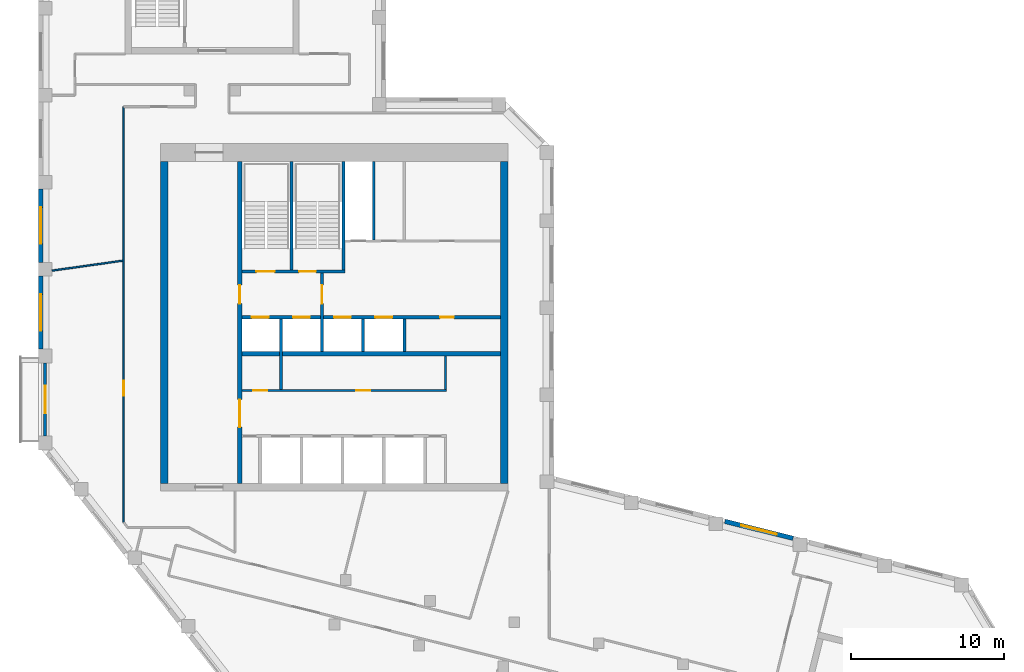
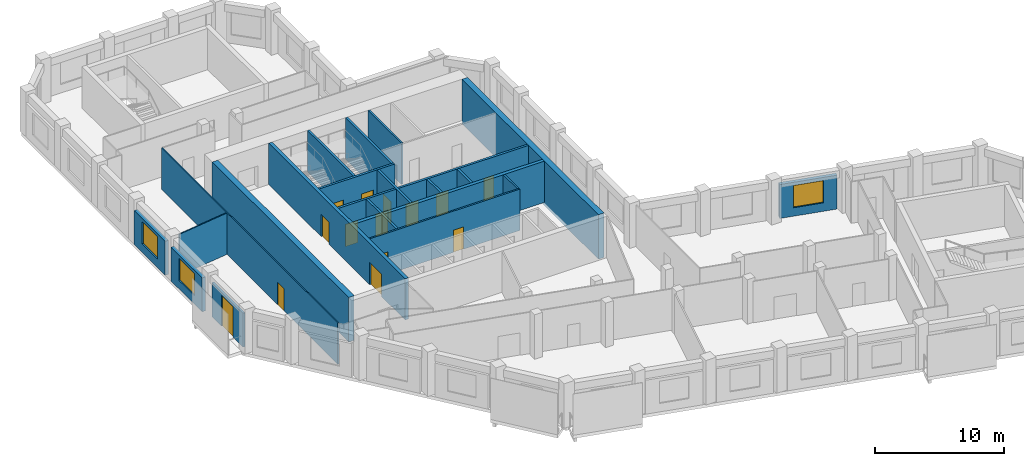
# One storey, part 5 of 8: 21 walls, 14 doors, 3 windows, 17 openings.
"""IFC4 building model written with IfcOpenShell, lengths in metres."""

from ifc_helpers import new_model, si_unit, direction, frame, frame_2d, origin, place, context, subcontext, project, spatial, rectangle, extrude, material, layer, layer_set, type_object, element, fill, save


model = new_model("IFC4")

# Units and contexts
model_context = context("Model", 3, precision=1e-05, world=origin(), true_north=direction((0.0, 1.0)))
body_context = subcontext(model_context, "Body", "Model", "MODEL_VIEW")
ifc_project = project(units=[si_unit("LENGTHUNIT", "METRE"), si_unit("AREAUNIT", "SQUARE_METRE"), si_unit("VOLUMEUNIT", "CUBIC_METRE"), si_unit("PLANEANGLEUNIT", "RADIAN"), si_unit("MASSUNIT", "GRAM", prefix="KILO")], contexts=[model_context])

# Site, building, storey
site_placement = place(None, origin())
site = spatial("IfcSite", under=ifc_project, at=site_placement, CompositionType="ELEMENT")
building_placement = place(site_placement, origin())
building = spatial("IfcBuilding", under=site, at=building_placement, Name="Meshkara Civic Tower", CompositionType="ELEMENT")
storey_placement = place(building_placement, frame((0.0, 0.0, 358.199951171875)))
storey = spatial("IfcBuildingStorey", under=building, at=storey_placement, Name="L82", CompositionType="ELEMENT", Elevation=358.199951171875)

# Wall, openings, doors
ifc_material_1 = material(Name="Blockwork", Category="masonry")
ifc_layer_1 = layer(ifc_material_1, 0.14990234375)
ifc_layer_set_1 = layer_set([ifc_layer_1], Name="Core partition 150")
wall_type_1 = type_object("IfcWallType", Name="Core partition 150", PredefinedType="PARTITIONING", material=ifc_layer_set_1)
wall_1_placement = place(storey_placement, frame((13.35009765625, 20.699951171875, 0.0), z_axis=(0.0, 0.0, 1.0), x_axis=(1.0, 0.0, 0.0)))
wall_1 = element("IfcWall", 1, at=wall_1_placement, inside=storey, type_object=wall_type_1, Name="L82-C006", PredefinedType="PARTITIONING", context=body_context, shape_type="SweptSolid", body=[
    extrude(rectangle(XDim=13.4248046875, YDim=0.14990234375, at=frame_2d((6.71240234375, 0.0))), origin(), (0.0, 0.0, 1.0), 3.900146484375),
])
opening_1_placement = place(wall_1_placement, frame((0.75, 0.0, 0.0)))
opening_1 = element("IfcOpeningElement", 2, at=opening_1_placement, cuts=wall_1, Name="Opening L82-K011", PredefinedType="OPENING", context=body_context, shape_type="SweptSolid", body=[
    extrude(rectangle(XDim=0.89990234375, YDim=2.10009765625, at=frame_2d((0.449951171875, 1.050048828125))), frame((0.0, 0.0849609375, 0.0), z_axis=(0.0, -1.0, 0.0), x_axis=(1.0, 0.0, 0.0)), (0.0, 0.0, 1.0), 0.169921875),
])
opening_2_placement = place(wall_1_placement, frame((7.5, 0.0, 0.0)))
opening_2 = element("IfcOpeningElement", 3, at=opening_2_placement, cuts=wall_1, Name="Opening L82-K012", PredefinedType="OPENING", context=body_context, shape_type="SweptSolid", body=[
    extrude(rectangle(XDim=0.89990234375, YDim=2.10009765625, at=frame_2d((0.449951171875, 1.050048828125))), frame((0.0, 0.0849609375, 0.0), z_axis=(0.0, -1.0, 0.0), x_axis=(1.0, 0.0, 0.0)), (0.0, 0.0, 1.0), 0.169921875),
])
ifc_material_2 = material(Name="Timber door leaf in steel frame", Category="steel")
door_type_1 = type_object("IfcDoorType", Name="Core room door 900", OperationType="SINGLE_SWING_LEFT", PredefinedType="DOOR", material=ifc_material_2)
door_1_placement = place(opening_1_placement, origin())
door_1 = element("IfcDoor", 4, at=door_1_placement, inside=storey, type_object=door_type_1, Name="L82-K011", OperationType="SINGLE_SWING_RIGHT", OverallHeight=2.10009765625, OverallWidth=0.89990234375, PredefinedType="DOOR", context=body_context, shape_type="SweptSolid", body=[
    extrude(rectangle(XDim=0.89990234375, YDim=2.10009765625, at=frame_2d((0.449951171875, 1.050048828125))), frame((0.0, 0.02490234375, 0.0), z_axis=(0.0, -1.0, 0.0), x_axis=(1.0, 0.0, 0.0)), (0.0, 0.0, 1.0), 0.050048828125),
])
fill(opening_1, door_1)
door_2_placement = place(opening_2_placement, origin())
door_2 = element("IfcDoor", 5, at=door_2_placement, inside=storey, type_object=door_type_1, Name="L82-K012", OperationType="SINGLE_SWING_LEFT", OverallHeight=2.10009765625, OverallWidth=0.89990234375, PredefinedType="DOOR", context=body_context, shape_type="SweptSolid", body=[
    extrude(rectangle(XDim=0.89990234375, YDim=2.10009765625, at=frame_2d((0.449951171875, 1.050048828125))), frame((0.0, 0.02490234375, 0.0), z_axis=(0.0, -1.0, 0.0), x_axis=(1.0, 0.0, 0.0)), (0.0, 0.0, 1.0), 0.050048828125),
])
fill(opening_2, door_2)

# Walls
wall_2_placement = place(storey_placement, frame((22.0, 30.574951171875, 0.0), z_axis=(0.0, 0.0, 1.0), x_axis=(0.0, 1.0, 0.0)))
element("IfcWall", 6, at=wall_2_placement, inside=storey, type_object=wall_type_1, Name="L82-C020", PredefinedType="PARTITIONING", context=body_context, shape_type="SweptSolid", body=[
    extrude(rectangle(XDim=5.125, YDim=0.14990234375, at=frame_2d((2.5625, 0.0))), origin(), (0.0, 0.0, 1.0), 3.900146484375),
])
wall_3_placement = place(storey_placement, frame((26.699951171875, 20.77490234375, 0.0), z_axis=(0.0, 0.0, 1.0), x_axis=(0.0, 1.0, 0.0)))
element("IfcWall", 7, at=wall_3_placement, inside=storey, type_object=wall_type_1, Name="L82-C026", PredefinedType="PARTITIONING", context=body_context, shape_type="SweptSolid", body=[
    extrude(rectangle(XDim=2.175048828125, YDim=0.14990234375, at=frame_2d((1.08740234375, 0.0))), origin(), (0.0, 0.0, 1.0), 3.900146484375),
])
ifc_material_3 = material(Name="Concrete C50", Category="concrete")
ifc_layer_2 = layer(ifc_material_3, 0.5)
ifc_layer_set_2 = layer_set([ifc_layer_2], Name="Core ring wall 500 C50")
wall_type_2 = type_object("IfcWallType", Name="Core ring wall 500 C50", PredefinedType="SHEAR", material=ifc_layer_set_2)
for number, where, z_axis, x_axis, name in (
    (8, (8.25, 14.60009765625, -0.300048828125), (0.0, 0.0, 1.0), (0.0, 1.0, 0.0), "L82-C003"),
    (9, (30.550048828125, 14.60009765625, -0.300048828125), (0.0, 0.0, 1.0), (0.0, 1.0, 0.0), "L82-C004"),
):
    element("IfcWall", number, at=place(storey_placement, frame(where, z_axis=z_axis, x_axis=x_axis)), inside=storey, type_object=wall_type_2, Name=name, PredefinedType="SHEAR", context=body_context, shape_type="SweptSolid", body=[
        extrude(rectangle(XDim=21.099853515625, YDim=0.5, at=frame_2d((10.5498046875, 0.0))), origin(), (0.0, 0.0, 1.0), 4.2001953125),
    ])
ifc_material_4 = material(Name="Concrete C50", Category="concrete")
ifc_layer_3 = layer(ifc_material_4, 0.300048828125)
ifc_layer_set_3 = layer_set([ifc_layer_3], Name="Core shear wall 300 C50")
wall_type_3 = type_object("IfcWallType", Name="Core shear wall 300 C50", PredefinedType="SHEAR", material=ifc_layer_set_3)
wall_4_placement = place(storey_placement, frame((13.35009765625, 23.10009765625, 0.0), z_axis=(0.0, 0.0, 1.0), x_axis=(1.0, 0.0, 0.0)))
element("IfcWall", 10, at=wall_4_placement, inside=storey, type_object=wall_type_3, Name="L82-C007", PredefinedType="SHEAR", context=body_context, shape_type="SweptSolid", body=[
    extrude(rectangle(XDim=16.949951171875, YDim=0.300048828125, at=frame_2d((8.47509765625, 0.0))), origin(), (0.0, 0.0, 1.0), 3.900146484375),
])

# Wall, openings, doors
wall_5_placement = place(storey_placement, frame((13.199951171875, 14.60009765625, 0.0), z_axis=(0.0, 0.0, 1.0), x_axis=(0.0, 1.0, 0.0)))
wall_5 = element("IfcWall", 11, at=wall_5_placement, inside=storey, type_object=wall_type_3, Name="L82-C011", PredefinedType="SHEAR", context=body_context, shape_type="SweptSolid", body=[
    extrude(rectangle(XDim=21.099853515625, YDim=0.300048828125, at=frame_2d((10.5498046875, 0.0))), origin(), (0.0, 0.0, 1.0), 3.900146484375),
])
opening_3_placement = place(wall_5_placement, frame((3.699951171875, 0.0, 0.0)))
opening_3 = element("IfcOpeningElement", 12, at=opening_3_placement, cuts=wall_5, Name="Opening L82-K019", PredefinedType="OPENING", context=body_context, shape_type="SweptSolid", body=[
    extrude(rectangle(XDim=1.800048828125, YDim=2.10009765625, at=frame_2d((0.89990234375, 1.050048828125))), frame((0.0, 0.159912109375, 0.0), z_axis=(0.0, -1.0, 0.0), x_axis=(1.0, 0.0, 0.0)), (0.0, 0.0, 1.0), 0.320068359375),
])
opening_4_placement = place(wall_5_placement, frame((11.800048828125, 0.0, 0.0)))
opening_4 = element("IfcOpeningElement", 13, at=opening_4_placement, cuts=wall_5, Name="Opening L82-K020", PredefinedType="OPENING", context=body_context, shape_type="SweptSolid", body=[
    extrude(rectangle(XDim=1.199951171875, YDim=2.10009765625, at=frame_2d((0.60009765625, 1.050048828125))), frame((0.0, 0.159912109375, 0.0), z_axis=(0.0, -1.0, 0.0), x_axis=(1.0, 0.0, 0.0)), (0.0, 0.0, 1.0), 0.320068359375),
])
ifc_material_5 = material(Name="Fire-rated door leaf in steel frame", Category="steel")
door_type_2 = type_object("IfcDoorType", Name="Core double door 1800 EI 60", OperationType="DOUBLE_DOOR_SINGLE_SWING", PredefinedType="DOOR", material=ifc_material_5)
door_3_placement = place(opening_3_placement, origin())
door_3 = element("IfcDoor", 14, at=door_3_placement, inside=storey, type_object=door_type_2, Name="L82-K019", OperationType="DOUBLE_DOOR_SINGLE_SWING", OverallHeight=2.10009765625, OverallWidth=1.800048828125, PredefinedType="DOOR", context=body_context, shape_type="SweptSolid", body=[
    extrude(rectangle(XDim=1.800048828125, YDim=2.10009765625, at=frame_2d((0.89990234375, 1.050048828125))), frame((0.0, 0.02490234375, 0.0), z_axis=(0.0, -1.0, 0.0), x_axis=(1.0, 0.0, 0.0)), (0.0, 0.0, 1.0), 0.050048828125),
])
fill(opening_3, door_3)
ifc_material_6 = material(Name="Fire-rated door leaf in steel frame", Category="steel")
door_type_3 = type_object("IfcDoorType", Name="Fire-fighting lobby door 1200 EI 120", OperationType="SINGLE_SWING_LEFT", PredefinedType="DOOR", material=ifc_material_6)
door_4_placement = place(opening_4_placement, origin())
door_4 = element("IfcDoor", 15, at=door_4_placement, inside=storey, type_object=door_type_3, Name="L82-K020", OperationType="SINGLE_SWING_LEFT", OverallHeight=2.10009765625, OverallWidth=1.199951171875, PredefinedType="DOOR", context=body_context, shape_type="SweptSolid", body=[
    extrude(rectangle(XDim=1.199951171875, YDim=2.10009765625, at=frame_2d((0.60009765625, 1.050048828125))), frame((0.0, 0.02490234375, 0.0), z_axis=(0.0, -1.0, 0.0), x_axis=(1.0, 0.0, 0.0)), (0.0, 0.0, 1.0), 0.050048828125),
])
fill(opening_4, door_4)

# Wall, opening, door
ifc_material_7 = material(Name="Corridor wall 100")
ifc_layer_4 = layer(ifc_material_7, 0.10009765625)
ifc_layer_set_4 = layer_set([ifc_layer_4], Name="Corridor wall 100")
wall_type_4 = type_object("IfcWallType", Name="Corridor wall 100", PredefinedType="PARTITIONING", material=ifc_layer_set_4)
wall_6_placement = place(storey_placement, frame((5.60009765625, 39.300048828125, 0.0), z_axis=(0.0, 0.0, 1.0), x_axis=(0.0, -1.0, 0.0)))
wall_6 = element("IfcWall", 16, at=wall_6_placement, inside=storey, type_object=wall_type_4, Name="L82-W004", PredefinedType="PARTITIONING", context=body_context, shape_type="SweptSolid", body=[
    extrude(rectangle(XDim=27.256103515625, YDim=0.10009765625, at=frame_2d((13.6279296875, 0.0))), origin(), (0.0, 0.0, 1.0), 3.900146484375),
])
opening_5_placement = place(wall_6_placement, frame((17.962890625, 0.0, 0.0)))
opening_5 = element("IfcOpeningElement", 17, at=opening_5_placement, cuts=wall_6, Name="Opening L82-D011", PredefinedType="OPENING", context=body_context, shape_type="SweptSolid", body=[
    extrude(rectangle(XDim=1.0, YDim=2.10009765625, at=frame_2d((0.5, 1.050048828125))), frame((0.0, 0.06005859375, 0.0), z_axis=(0.0, -1.0, 0.0), x_axis=(1.0, 0.0, 0.0)), (0.0, 0.0, 1.0), 0.1201171875),
])
ifc_material_8 = material(Name="Door 1000 x 2100")
door_type_4 = type_object("IfcDoorType", Name="Door 1000 x 2100", OperationType="SINGLE_SWING_LEFT", PredefinedType="DOOR", material=ifc_material_8)
door_5_placement = place(opening_5_placement, origin())
door_5 = element("IfcDoor", 18, at=door_5_placement, inside=storey, type_object=door_type_4, Name="L82-D011", OperationType="SINGLE_SWING_RIGHT", OverallHeight=2.10009765625, OverallWidth=1.0, PredefinedType="DOOR", context=body_context, shape_type="SweptSolid", body=[
    extrude(rectangle(XDim=1.0, YDim=2.10009765625, at=frame_2d((0.5, 1.050048828125))), frame((0.0, 0.02490234375, 0.0), z_axis=(0.0, -1.0, 0.0), x_axis=(1.0, 0.0, 0.0)), (0.0, 0.0, 1.0), 0.050048828125),
])
fill(opening_5, door_5)

# Wall, opening, window
ifc_material_9 = material(Name="Insulated infill panel with bronze anodised aluminium cladding", Category="aluminium")
ifc_layer_5 = layer(ifc_material_9, 0.300048828125)
ifc_layer_set_5 = layer_set([ifc_layer_5], Name="EXTERNAL INFILL WALL 300")
wall_type_5 = type_object("IfcWallType", Name="EXTERNAL INFILL WALL 300", PredefinedType="SOLIDWALL", material=ifc_layer_set_5)
wall_7_placement = place(storey_placement, frame((49.485107421875, 11.0048828125, 0.0), z_axis=(0.0, 0.0, 1.0), x_axis=(-0.970235897967, 0.242161727563, 0.0)))
wall_7 = element("IfcWall", 19, at=wall_7_placement, inside=storey, type_object=wall_type_5, Name="External wall", PredefinedType="SOLIDWALL", context=body_context, shape_type="SweptSolid", body=[
    extrude(rectangle(XDim=4.609375, YDim=0.300048828125, at=frame_2d((2.3046875, 0.0))), origin(), (0.0, 0.0, 1.0), 3.199951171875),
])
opening_6_placement = place(wall_7_placement, frame((1.10498046875, 0.0, 0.800048828125)))
opening_6 = element("IfcOpeningElement", 20, at=opening_6_placement, cuts=wall_7, Name="Opening W7", PredefinedType="OPENING", context=body_context, shape_type="SweptSolid", body=[
    extrude(rectangle(XDim=2.39990234375, YDim=2.10009765625, at=frame_2d((1.199951171875, 1.050048828125))), frame((0.0, 0.159912109375, 0.0), z_axis=(0.0, -1.0, 0.0), x_axis=(1.0, 0.0, 0.0)), (0.0, 0.0, 1.0), 0.320068359375),
])
ifc_material_10 = material(Name="Tinted double glazing", Category="glass")
window_type = type_object("IfcWindowType", Name="WINDOW 2400x2100", PartitioningType="DOUBLE_PANEL_VERTICAL", PredefinedType="WINDOW", material=ifc_material_10)
window_1_placement = place(opening_6_placement, origin())
window_1 = element("IfcWindow", 21, at=window_1_placement, inside=storey, type_object=window_type, Name="Window", OverallHeight=2.10009765625, OverallWidth=2.39990234375, PartitioningType="DOUBLE_PANEL_VERTICAL", PredefinedType="WINDOW", context=body_context, shape_type="SweptSolid", body=[
    extrude(rectangle(XDim=2.39990234375, YDim=2.10009765625, at=frame_2d((1.199951171875, 1.050048828125))), frame((0.0, 0.030029296875, 0.0), z_axis=(0.0, -1.0, 0.0), x_axis=(1.0, 0.0, 0.0)), (0.0, 0.0, 1.0), 0.06005859375),
])
fill(opening_6, window_1)

wall_8_placement = place(storey_placement, frame((0.14990234375, 33.905029296875, 0.0), z_axis=(0.0, 0.0, 1.0), x_axis=(0.0, -1.0, 0.0)))
wall_8 = element("IfcWall", 22, at=wall_8_placement, inside=storey, type_object=wall_type_5, Name="External wall", PredefinedType="SOLIDWALL", context=body_context, shape_type="SweptSolid", body=[
    extrude(rectangle(XDim=4.800048828125, YDim=0.300048828125, at=frame_2d((2.39990234375, 0.0))), origin(), (0.0, 0.0, 1.0), 3.199951171875),
])
opening_7_placement = place(wall_8_placement, frame((1.199951171875, 0.0, 0.800048828125)))
opening_7 = element("IfcOpeningElement", 23, at=opening_7_placement, cuts=wall_8, Name="Opening W7", PredefinedType="OPENING", context=body_context, shape_type="SweptSolid", body=[
    extrude(rectangle(XDim=2.39990234375, YDim=2.10009765625, at=frame_2d((1.199951171875, 1.050048828125))), frame((0.0, 0.159912109375, 0.0), z_axis=(0.0, -1.0, 0.0), x_axis=(1.0, 0.0, 0.0)), (0.0, 0.0, 1.0), 0.320068359375),
])
window_2_placement = place(opening_7_placement, origin())
window_2 = element("IfcWindow", 24, at=window_2_placement, inside=storey, type_object=window_type, Name="Window", OverallHeight=2.10009765625, OverallWidth=2.39990234375, PartitioningType="DOUBLE_PANEL_VERTICAL", PredefinedType="WINDOW", context=body_context, shape_type="SweptSolid", body=[
    extrude(rectangle(XDim=2.39990234375, YDim=2.10009765625, at=frame_2d((1.199951171875, 1.050048828125))), frame((0.0, 0.030029296875, 0.0), z_axis=(0.0, -1.0, 0.0), x_axis=(1.0, 0.0, 0.0)), (0.0, 0.0, 1.0), 0.06005859375),
])
fill(opening_7, window_2)

wall_9_placement = place(storey_placement, frame((0.14990234375, 28.205078125, 0.0), z_axis=(0.0, 0.0, 1.0), x_axis=(0.0, -1.0, 0.0)))
wall_9 = element("IfcWall", 25, at=wall_9_placement, inside=storey, type_object=wall_type_5, Name="External wall", PredefinedType="SOLIDWALL", context=body_context, shape_type="SweptSolid", body=[
    extrude(rectangle(XDim=4.800048828125, YDim=0.300048828125, at=frame_2d((2.39990234375, 0.0))), origin(), (0.0, 0.0, 1.0), 3.199951171875),
])
opening_8_placement = place(wall_9_placement, frame((1.199951171875, 0.0, 0.800048828125)))
opening_8 = element("IfcOpeningElement", 26, at=opening_8_placement, cuts=wall_9, Name="Opening W7", PredefinedType="OPENING", context=body_context, shape_type="SweptSolid", body=[
    extrude(rectangle(XDim=2.39990234375, YDim=2.10009765625, at=frame_2d((1.199951171875, 1.050048828125))), frame((0.0, 0.159912109375, 0.0), z_axis=(0.0, -1.0, 0.0), x_axis=(1.0, 0.0, 0.0)), (0.0, 0.0, 1.0), 0.320068359375),
])
window_3_placement = place(opening_8_placement, origin())
window_3 = element("IfcWindow", 27, at=window_3_placement, inside=storey, type_object=window_type, Name="Window", OverallHeight=2.10009765625, OverallWidth=2.39990234375, PartitioningType="DOUBLE_PANEL_VERTICAL", PredefinedType="WINDOW", context=body_context, shape_type="SweptSolid", body=[
    extrude(rectangle(XDim=2.39990234375, YDim=2.10009765625, at=frame_2d((1.199951171875, 1.050048828125))), frame((0.0, 0.030029296875, 0.0), z_axis=(0.0, -1.0, 0.0), x_axis=(1.0, 0.0, 0.0)), (0.0, 0.0, 1.0), 0.06005859375),
])
fill(opening_8, window_3)

# Wall, opening, door
ifc_material_11 = material(Name="Insulated infill panel with bronze anodised aluminium cladding", Category="aluminium")
ifc_layer_6 = layer(ifc_material_11, 0.199951171875)
ifc_layer_set_6 = layer_set([ifc_layer_6], Name="LOGGIA BACK WALL 200")
wall_type_6 = type_object("IfcWallType", Name="LOGGIA BACK WALL 200", PredefinedType="SOLIDWALL", material=ifc_layer_set_6)
wall_10_placement = place(storey_placement, frame((0.449951171875, 22.5048828125, 0.0), z_axis=(0.0, 0.0, 1.0), x_axis=(0.0, -1.0, 0.0)))
wall_10 = element("IfcWall", 28, at=wall_10_placement, inside=storey, type_object=wall_type_6, Name="Loggia wall", PredefinedType="SOLIDWALL", context=body_context, shape_type="SweptSolid", body=[
    extrude(rectangle(XDim=4.798828125, YDim=0.199951171875, at=frame_2d((2.3994140625, 0.0))), origin(), (0.0, 0.0, 1.0), 3.199951171875),
])
opening_9_placement = place(wall_10_placement, frame((1.5, 0.0, 0.0)))
opening_9 = element("IfcOpeningElement", 29, at=opening_9_placement, cuts=wall_10, Name="Opening L82-L001", PredefinedType="OPENING", context=body_context, shape_type="SweptSolid", body=[
    extrude(rectangle(XDim=1.800048828125, YDim=2.89990234375, at=frame_2d((0.89990234375, 1.449951171875))), frame((0.0, 0.10986328125, 0.0), z_axis=(0.0, -1.0, 0.0), x_axis=(1.0, 0.0, 0.0)), (0.0, 0.0, 1.0), 0.219970703125),
])
ifc_material_12 = material(Name="Tinted double glazing", Category="glass")
door_type_5 = type_object("IfcDoorType", Name="LOGGIA DOOR 1800x2900", OperationType="DOUBLE_DOOR_SINGLE_SWING", PredefinedType="DOOR", material=ifc_material_12)
door_6_placement = place(opening_9_placement, origin())
door_6 = element("IfcDoor", 30, at=door_6_placement, inside=storey, type_object=door_type_5, Name="L82-L001", OperationType="DOUBLE_DOOR_SINGLE_SWING", OverallHeight=2.89990234375, OverallWidth=1.800048828125, PredefinedType="DOOR", context=body_context, shape_type="SweptSolid", body=[
    extrude(rectangle(XDim=1.800048828125, YDim=2.89990234375, at=frame_2d((0.89990234375, 1.449951171875))), frame((0.0, 0.02490234375, 0.0), z_axis=(0.0, -1.0, 0.0), x_axis=(1.0, 0.0, 0.0)), (0.0, 0.0, 1.0), 0.050048828125),
])
fill(opening_9, door_6)

# Wall
ifc_material_13 = material(Name="Partition 100")
ifc_layer_7 = layer(ifc_material_13, 0.10009765625)
ifc_layer_set_7 = layer_set([ifc_layer_7], Name="Partition 100")
wall_type_7 = type_object("IfcWallType", Name="Partition 100", PredefinedType="PARTITIONING", material=ifc_layer_set_7)
wall_11_placement = place(storey_placement, frame((5.54296875, 29.208984375, 0.0), z_axis=(0.0, 0.0, 1.0), x_axis=(-0.990252315106, -0.139285147908, 0.0)))
element("IfcWall", 31, at=wall_11_placement, inside=storey, type_object=wall_type_7, Name="L82-W034", PredefinedType="PARTITIONING", context=body_context, shape_type="SweptSolid", body=[
    extrude(rectangle(XDim=4.688720703125, YDim=0.10009765625, at=frame_2d((2.34423828125, 0.0))), origin(), (0.0, 0.0, 1.0), 3.900146484375),
])

# Wall, openings, doors
ifc_material_14 = material(Name="Concrete C40/50", Category="concrete")
ifc_layer_8 = layer(ifc_material_14, 0.199951171875)
ifc_layer_set_8 = layer_set([ifc_layer_8], Name="Shaft wall 200 C40/50")
wall_type_8 = type_object("IfcWallType", Name="Shaft wall 200 C40/50", PredefinedType="SOLIDWALL", material=ifc_layer_set_8)
wall_12_placement = place(storey_placement, frame((13.35009765625, 25.5, 0.0), z_axis=(0.0, 0.0, 1.0), x_axis=(1.0, 0.0, 0.0)))
wall_12 = element("IfcWall", 32, at=wall_12_placement, inside=storey, type_object=wall_type_8, Name="L82-C008", PredefinedType="SOLIDWALL", context=body_context, shape_type="SweptSolid", body=[
    extrude(rectangle(XDim=16.949951171875, YDim=0.199951171875, at=frame_2d((8.47509765625, 0.0))), origin(), (0.0, 0.0, 1.0), 3.900146484375),
])
opening_10_placement = place(wall_12_placement, frame((0.64990234375, 0.0, 0.0)))
opening_10 = element("IfcOpeningElement", 33, at=opening_10_placement, cuts=wall_12, Name="Opening L82-K005", PredefinedType="OPENING", context=body_context, shape_type="SweptSolid", body=[
    extrude(rectangle(XDim=1.10009765625, YDim=2.10009765625, at=frame_2d((0.550048828125, 1.050048828125))), frame((0.0, 0.10986328125, 0.0), z_axis=(0.0, -1.0, 0.0), x_axis=(1.0, 0.0, 0.0)), (0.0, 0.0, 1.0), 0.219970703125),
])
opening_11_placement = place(wall_12_placement, frame((3.35009765625, 0.0, 0.0)))
opening_11 = element("IfcOpeningElement", 34, at=opening_11_placement, cuts=wall_12, Name="Opening L82-K006", PredefinedType="OPENING", context=body_context, shape_type="SweptSolid", body=[
    extrude(rectangle(XDim=1.10009765625, YDim=2.10009765625, at=frame_2d((0.550048828125, 1.050048828125))), frame((0.0, 0.10986328125, 0.0), z_axis=(0.0, -1.0, 0.0), x_axis=(1.0, 0.0, 0.0)), (0.0, 0.0, 1.0), 0.219970703125),
])
opening_12_placement = place(wall_12_placement, frame((6.050048828125, 0.0, 0.0)))
opening_12 = element("IfcOpeningElement", 35, at=opening_12_placement, cuts=wall_12, Name="Opening L82-K007", PredefinedType="OPENING", context=body_context, shape_type="SweptSolid", body=[
    extrude(rectangle(XDim=1.10009765625, YDim=2.10009765625, at=frame_2d((0.550048828125, 1.050048828125))), frame((0.0, 0.10986328125, 0.0), z_axis=(0.0, -1.0, 0.0), x_axis=(1.0, 0.0, 0.0)), (0.0, 0.0, 1.0), 0.219970703125),
])
opening_13_placement = place(wall_12_placement, frame((8.75, 0.0, 0.0)))
opening_13 = element("IfcOpeningElement", 36, at=opening_13_placement, cuts=wall_12, Name="Opening L82-K008", PredefinedType="OPENING", context=body_context, shape_type="SweptSolid", body=[
    extrude(rectangle(XDim=1.10009765625, YDim=2.10009765625, at=frame_2d((0.550048828125, 1.050048828125))), frame((0.0, 0.10986328125, 0.0), z_axis=(0.0, -1.0, 0.0), x_axis=(1.0, 0.0, 0.0)), (0.0, 0.0, 1.0), 0.219970703125),
])
opening_14_placement = place(wall_12_placement, frame((13.0, 0.0, 0.0)))
opening_14 = element("IfcOpeningElement", 37, at=opening_14_placement, cuts=wall_12, Name="Opening L82-K013", PredefinedType="OPENING", context=body_context, shape_type="SweptSolid", body=[
    extrude(rectangle(XDim=0.89990234375, YDim=2.10009765625, at=frame_2d((0.449951171875, 1.050048828125))), frame((0.0, 0.10986328125, 0.0), z_axis=(0.0, -1.0, 0.0), x_axis=(1.0, 0.0, 0.0)), (0.0, 0.0, 1.0), 0.219970703125),
])
door_7_placement = place(opening_14_placement, origin())
door_7 = element("IfcDoor", 38, at=door_7_placement, inside=storey, type_object=door_type_1, Name="L82-K013", OperationType="SINGLE_SWING_LEFT", OverallHeight=2.10009765625, OverallWidth=0.89990234375, PredefinedType="DOOR", context=body_context, shape_type="SweptSolid", body=[
    extrude(rectangle(XDim=0.89990234375, YDim=2.10009765625, at=frame_2d((0.449951171875, 1.050048828125))), frame((0.0, 0.02490234375, 0.0), z_axis=(0.0, -1.0, 0.0), x_axis=(1.0, 0.0, 0.0)), (0.0, 0.0, 1.0), 0.050048828125),
])
fill(opening_14, door_7)
ifc_material_15 = material(Name="Stainless steel landing door", Category="steel")
door_type_6 = type_object("IfcDoorType", Name="Lift landing door 1100", OperationType="SLIDING_TO_LEFT", PredefinedType="DOOR", material=ifc_material_15)
door_8_placement = place(opening_10_placement, origin())
door_8 = element("IfcDoor", 39, at=door_8_placement, inside=storey, type_object=door_type_6, Name="L82-K005", OperationType="SLIDING_TO_LEFT", OverallHeight=2.10009765625, OverallWidth=1.10009765625, PredefinedType="DOOR", context=body_context, shape_type="SweptSolid", body=[
    extrude(rectangle(XDim=1.10009765625, YDim=2.10009765625, at=frame_2d((0.550048828125, 1.050048828125))), frame((0.0, 0.02490234375, 0.0), z_axis=(0.0, -1.0, 0.0), x_axis=(1.0, 0.0, 0.0)), (0.0, 0.0, 1.0), 0.050048828125),
])
fill(opening_10, door_8)
door_9_placement = place(opening_11_placement, origin())
door_9 = element("IfcDoor", 40, at=door_9_placement, inside=storey, type_object=door_type_6, Name="L82-K006", OperationType="SLIDING_TO_LEFT", OverallHeight=2.10009765625, OverallWidth=1.10009765625, PredefinedType="DOOR", context=body_context, shape_type="SweptSolid", body=[
    extrude(rectangle(XDim=1.10009765625, YDim=2.10009765625, at=frame_2d((0.550048828125, 1.050048828125))), frame((0.0, 0.02490234375, 0.0), z_axis=(0.0, -1.0, 0.0), x_axis=(1.0, 0.0, 0.0)), (0.0, 0.0, 1.0), 0.050048828125),
])
fill(opening_11, door_9)
door_10_placement = place(opening_12_placement, origin())
door_10 = element("IfcDoor", 41, at=door_10_placement, inside=storey, type_object=door_type_6, Name="L82-K007", OperationType="SLIDING_TO_LEFT", OverallHeight=2.10009765625, OverallWidth=1.10009765625, PredefinedType="DOOR", context=body_context, shape_type="SweptSolid", body=[
    extrude(rectangle(XDim=1.10009765625, YDim=2.10009765625, at=frame_2d((0.550048828125, 1.050048828125))), frame((0.0, 0.02490234375, 0.0), z_axis=(0.0, -1.0, 0.0), x_axis=(1.0, 0.0, 0.0)), (0.0, 0.0, 1.0), 0.050048828125),
])
fill(opening_12, door_10)
door_11_placement = place(opening_13_placement, origin())
door_11 = element("IfcDoor", 42, at=door_11_placement, inside=storey, type_object=door_type_6, Name="L82-K008", OperationType="SLIDING_TO_LEFT", OverallHeight=2.10009765625, OverallWidth=1.10009765625, PredefinedType="DOOR", context=body_context, shape_type="SweptSolid", body=[
    extrude(rectangle(XDim=1.10009765625, YDim=2.10009765625, at=frame_2d((0.550048828125, 1.050048828125))), frame((0.0, 0.02490234375, 0.0), z_axis=(0.0, -1.0, 0.0), x_axis=(1.0, 0.0, 0.0)), (0.0, 0.0, 1.0), 0.050048828125),
])
fill(opening_13, door_11)

# Wall
wall_13_placement = place(storey_placement, frame((15.89990234375, 20.77490234375, 0.0), z_axis=(0.0, 0.0, 1.0), x_axis=(0.0, 1.0, 0.0)))
element("IfcWall", 43, at=wall_13_placement, inside=storey, type_object=wall_type_8, Name="L82-C013", PredefinedType="SOLIDWALL", context=body_context, shape_type="SweptSolid", body=[
    extrude(rectangle(XDim=4.625, YDim=0.199951171875, at=frame_2d((2.3125, 0.0))), origin(), (0.0, 0.0, 1.0), 3.900146484375),
])

# Wall, opening, door
wall_14_placement = place(storey_placement, frame((18.60009765625, 23.25, 0.0), z_axis=(0.0, 0.0, 1.0), x_axis=(0.0, 1.0, 0.0)))
wall_14 = element("IfcWall", 44, at=wall_14_placement, inside=storey, type_object=wall_type_8, Name="L82-C016", PredefinedType="SOLIDWALL", context=body_context, shape_type="SweptSolid", body=[
    extrude(rectangle(XDim=5.14990234375, YDim=0.199951171875, at=frame_2d((2.574951171875, 0.0))), origin(), (0.0, 0.0, 1.0), 3.900146484375),
])
opening_15_placement = place(wall_14_placement, frame((3.14990234375, 0.0, 0.0)))
opening_15 = element("IfcOpeningElement", 45, at=opening_15_placement, cuts=wall_14, Name="Opening L82-K021", PredefinedType="OPENING", context=body_context, shape_type="SweptSolid", body=[
    extrude(rectangle(XDim=1.199951171875, YDim=2.10009765625, at=frame_2d((0.60009765625, 1.050048828125))), frame((0.0, 0.10986328125, 0.0), z_axis=(0.0, -1.0, 0.0), x_axis=(1.0, 0.0, 0.0)), (0.0, 0.0, 1.0), 0.219970703125),
])
door_12_placement = place(opening_15_placement, origin())
door_12 = element("IfcDoor", 46, at=door_12_placement, inside=storey, type_object=door_type_3, Name="L82-K021", OperationType="SINGLE_SWING_RIGHT", OverallHeight=2.10009765625, OverallWidth=1.199951171875, PredefinedType="DOOR", context=body_context, shape_type="SweptSolid", body=[
    extrude(rectangle(XDim=1.199951171875, YDim=2.10009765625, at=frame_2d((0.60009765625, 1.050048828125))), frame((0.0, 0.02490234375, 0.0), z_axis=(0.0, -1.0, 0.0), x_axis=(1.0, 0.0, 0.0)), (0.0, 0.0, 1.0), 0.050048828125),
])
fill(opening_15, door_12)

# Walls
for number, where, z_axis, x_axis, name in (
    (47, (21.300048828125, 23.25, 0.0), (0.0, 0.0, 1.0), (0.0, 1.0, 0.0), "L82-C019"),
    (48, (24.0, 23.25, 0.0), (0.0, 0.0, 1.0), (0.0, 1.0, 0.0), "L82-C022"),
):
    element("IfcWall", number, at=place(storey_placement, frame(where, z_axis=z_axis, x_axis=x_axis)), inside=storey, type_object=wall_type_8, Name=name, PredefinedType="SOLIDWALL", context=body_context, shape_type="SweptSolid", body=[
        extrude(rectangle(XDim=2.14990234375, YDim=0.199951171875, at=frame_2d((1.074951171875, 0.0))), origin(), (0.0, 0.0, 1.0), 3.900146484375),
    ])

# Wall, openings, doors
ifc_material_16 = material(Name="Concrete C40/50", Category="concrete")
ifc_layer_9 = layer(ifc_material_16, 0.199951171875)
ifc_layer_set_9 = layer_set([ifc_layer_9], Name="Stair enclosure wall 200 C40/50")
wall_type_9 = type_object("IfcWallType", Name="Stair enclosure wall 200 C40/50", PredefinedType="SOLIDWALL", material=ifc_layer_set_9)
wall_15_placement = place(storey_placement, frame((13.35009765625, 28.5, 0.0), z_axis=(0.0, 0.0, 1.0), x_axis=(1.0, 0.0, 0.0)))
wall_15 = element("IfcWall", 49, at=wall_15_placement, inside=storey, type_object=wall_type_9, Name="L82-C009", PredefinedType="SOLIDWALL", context=body_context, shape_type="SweptSolid", body=[
    extrude(rectangle(XDim=6.75, YDim=0.199951171875, at=frame_2d((3.375, 0.0))), origin(), (0.0, 0.0, 1.0), 3.900146484375),
])
opening_16_placement = place(wall_15_placement, frame((0.949951171875, 0.0, 0.0)))
opening_16 = element("IfcOpeningElement", 50, at=opening_16_placement, cuts=wall_15, Name="Opening L82-K017", PredefinedType="OPENING", context=body_context, shape_type="SweptSolid", body=[
    extrude(rectangle(XDim=1.199951171875, YDim=2.10009765625, at=frame_2d((0.60009765625, 1.050048828125))), frame((0.0, 0.10986328125, 0.0), z_axis=(0.0, -1.0, 0.0), x_axis=(1.0, 0.0, 0.0)), (0.0, 0.0, 1.0), 0.219970703125),
])
opening_17_placement = place(wall_15_placement, frame((3.75, 0.0, 0.0)))
opening_17 = element("IfcOpeningElement", 51, at=opening_17_placement, cuts=wall_15, Name="Opening L82-K018", PredefinedType="OPENING", context=body_context, shape_type="SweptSolid", body=[
    extrude(rectangle(XDim=1.10009765625, YDim=2.10009765625, at=frame_2d((0.550048828125, 1.050048828125))), frame((0.0, 0.10986328125, 0.0), z_axis=(0.0, -1.0, 0.0), x_axis=(1.0, 0.0, 0.0)), (0.0, 0.0, 1.0), 0.219970703125),
])
ifc_material_17 = material(Name="Fire-rated door leaf in steel frame", Category="steel")
door_type_7 = type_object("IfcDoorType", Name="Stair door 1100 EI 120", OperationType="SINGLE_SWING_LEFT", PredefinedType="DOOR", material=ifc_material_17)
door_13_placement = place(opening_17_placement, origin())
door_13 = element("IfcDoor", 52, at=door_13_placement, inside=storey, type_object=door_type_7, Name="L82-K018", OperationType="SINGLE_SWING_LEFT", OverallHeight=2.10009765625, OverallWidth=1.10009765625, PredefinedType="DOOR", context=body_context, shape_type="SweptSolid", body=[
    extrude(rectangle(XDim=1.10009765625, YDim=2.10009765625, at=frame_2d((0.550048828125, 1.050048828125))), frame((0.0, 0.02490234375, 0.0), z_axis=(0.0, -1.0, 0.0), x_axis=(1.0, 0.0, 0.0)), (0.0, 0.0, 1.0), 0.050048828125),
])
fill(opening_17, door_13)
ifc_material_18 = material(Name="Fire-rated door leaf in steel frame", Category="steel")
door_type_8 = type_object("IfcDoorType", Name="Stair door 1200 EI 120", OperationType="SINGLE_SWING_LEFT", PredefinedType="DOOR", material=ifc_material_18)
door_14_placement = place(opening_16_placement, origin())
door_14 = element("IfcDoor", 53, at=door_14_placement, inside=storey, type_object=door_type_8, Name="L82-K017", OperationType="SINGLE_SWING_RIGHT", OverallHeight=2.10009765625, OverallWidth=1.199951171875, PredefinedType="DOOR", context=body_context, shape_type="SweptSolid", body=[
    extrude(rectangle(XDim=1.199951171875, YDim=2.10009765625, at=frame_2d((0.60009765625, 1.050048828125))), frame((0.0, 0.02490234375, 0.0), z_axis=(0.0, -1.0, 0.0), x_axis=(1.0, 0.0, 0.0)), (0.0, 0.0, 1.0), 0.050048828125),
])
fill(opening_16, door_14)

# Walls
for number, where, z_axis, x_axis, name in (
    (54, (16.60009765625, 28.60009765625, 0.0), (0.0, 0.0, 1.0), (0.0, 1.0, 0.0), "L82-C014"),
    (55, (20.0, 28.60009765625, 0.0), (0.0, 0.0, 1.0), (0.0, 1.0, 0.0), "L82-C018"),
):
    element("IfcWall", number, at=place(storey_placement, frame(where, z_axis=z_axis, x_axis=x_axis)), inside=storey, type_object=wall_type_9, Name=name, PredefinedType="SOLIDWALL", context=body_context, shape_type="SweptSolid", body=[
        extrude(rectangle(XDim=7.099853515625, YDim=0.199951171875, at=frame_2d((3.5498046875, 0.0))), origin(), (0.0, 0.0, 1.0), 3.900146484375),
    ])

save(model, "model.ifc")
